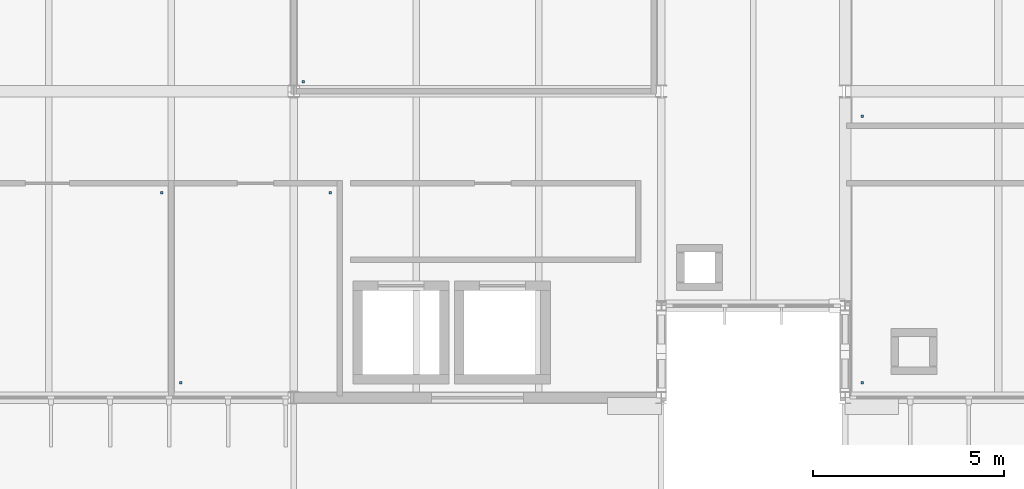
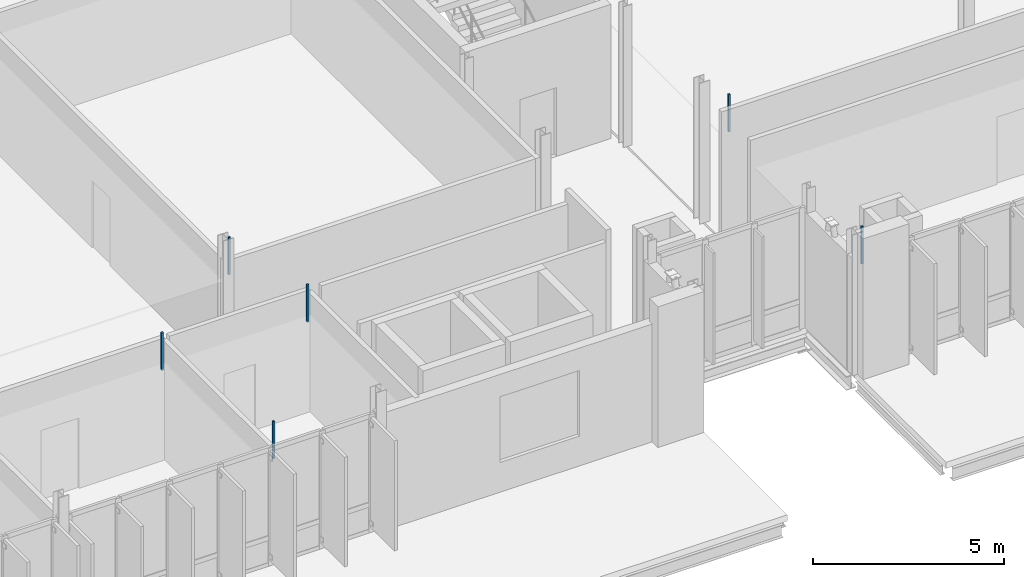
# One storey, part 74 of 107: 6 discrete accessories.
"""IFC4 building model written with IfcOpenShell, lengths in metres."""

from ifc_helpers import new_model, si_unit, direction, frame, origin, place, context, subcontext, project, spatial, polyline, outline, extrude, material, type_object, element, save


model = new_model("IFC4")

# Units and contexts
model_context = context("Model", 3, precision=1e-05, world=origin(), true_north=direction((0.0, 1.0)))
body_context = subcontext(model_context, "Body", "Model", "MODEL_VIEW")
ifc_project = project(units=[si_unit("LENGTHUNIT", "METRE"), si_unit("AREAUNIT", "SQUARE_METRE"), si_unit("VOLUMEUNIT", "CUBIC_METRE"), si_unit("PLANEANGLEUNIT", "RADIAN"), si_unit("MASSUNIT", "GRAM", prefix="KILO")], contexts=[model_context])

# Site, building, storey
site_placement = place(None, origin())
site = spatial("IfcSite", under=ifc_project, at=site_placement, CompositionType="ELEMENT")
building_placement = place(site_placement, origin())
building = spatial("IfcBuilding", under=site, at=building_placement, Name="Dunescarp Central Library", CompositionType="ELEMENT")
storey_placement = place(building_placement, frame((0.0, 0.0, 5.10009765625)))
storey = spatial("IfcBuildingStorey", under=building, at=storey_placement, Name="L01", CompositionType="ELEMENT", Elevation=5.10009765625)

# Discrete accessories
ifc_material = material(Name="Stainless steel Grade 316L", Category="steel")
discrete_accessory_type = type_object("IfcDiscreteAccessoryType", Name="ARC-ACC-BRK", PredefinedType="BRACKET", material=ifc_material)
discrete_accessory_1_placement = place(storey_placement, frame((0.0, 0.0, 3.059814453125)))
element("IfcDiscreteAccessory", 1, at=discrete_accessory_1_placement, inside=storey, type_object=discrete_accessory_type, Name="L01 ceiling hanger CLG-L01-052-H1", PredefinedType="BRACKET", context=body_context, shape_type="SweptSolid", body=[
    extrude(outline(polyline([(64.219970703125, 5.159912109375), (64.280029296875, 5.159912109375), (64.280029296875, 5.219970703125), (64.219970703125, 5.219970703125), (64.219970703125, 5.159912109375)])), origin(), (0.0, 0.0, 1.0), 1.190185546875),
])
discrete_accessory_2_placement = place(storey_placement, frame((0.0, 0.0, 3.059814453125)))
element("IfcDiscreteAccessory", 2, at=discrete_accessory_2_placement, inside=storey, type_object=discrete_accessory_type, Name="L01 ceiling hanger CLG-L01-052-H2", PredefinedType="BRACKET", context=body_context, shape_type="SweptSolid", body=[
    extrude(outline(polyline([(68.1201171875, 10.1201171875), (68.179931640625, 10.1201171875), (68.179931640625, 10.179931640625), (68.1201171875, 10.179931640625), (68.1201171875, 10.1201171875)])), origin(), (0.0, 0.0, 1.0), 1.190185546875),
])
discrete_accessory_3_placement = place(storey_placement, frame((0.0, 0.0, 3.059814453125)))
element("IfcDiscreteAccessory", 3, at=discrete_accessory_3_placement, inside=storey, type_object=discrete_accessory_type, Name="L01 ceiling hanger CLG-L01-055-H2", PredefinedType="BRACKET", context=body_context, shape_type="SweptSolid", body=[
    extrude(outline(polyline([(63.719970703125, 10.1201171875), (63.780029296875, 10.1201171875), (63.780029296875, 10.179931640625), (63.719970703125, 10.179931640625), (63.719970703125, 10.1201171875)])), origin(), (0.0, 0.0, 1.0), 1.190185546875),
])
discrete_accessory_4_placement = place(storey_placement, frame((0.0, 0.0, 3.059814453125)))
element("IfcDiscreteAccessory", 4, at=discrete_accessory_4_placement, inside=storey, type_object=discrete_accessory_type, Name="L01 ceiling hanger CLG-L01-057-H1", PredefinedType="BRACKET", context=body_context, shape_type="SweptSolid", body=[
    extrude(outline(polyline([(67.419921875, 13.02001953125), (67.47998046875, 13.02001953125), (67.47998046875, 13.080078125), (67.419921875, 13.080078125), (67.419921875, 13.02001953125)])), origin(), (0.0, 0.0, 1.0), 1.190185546875),
])
discrete_accessory_5_placement = place(storey_placement, frame((0.0, 0.0, 3.059814453125)))
element("IfcDiscreteAccessory", 5, at=discrete_accessory_5_placement, inside=storey, type_object=discrete_accessory_type, Name="L01 ceiling hanger CLG-L01-095-H1", PredefinedType="BRACKET", context=body_context, shape_type="SweptSolid", body=[
    extrude(outline(polyline([(82.02001953125, 5.159912109375), (82.080078125, 5.159912109375), (82.080078125, 5.219970703125), (82.02001953125, 5.219970703125), (82.02001953125, 5.159912109375)])), origin(), (0.0, 0.0, 1.0), 1.190185546875),
])
discrete_accessory_6_placement = place(storey_placement, frame((0.0, 0.0, 3.059814453125)))
element("IfcDiscreteAccessory", 6, at=discrete_accessory_6_placement, inside=storey, type_object=discrete_accessory_type, Name="L01 ceiling hanger CLG-L01-097-H1", PredefinedType="BRACKET", context=body_context, shape_type="SweptSolid", body=[
    extrude(outline(polyline([(82.02001953125, 12.1201171875), (82.080078125, 12.1201171875), (82.080078125, 12.179931640625), (82.02001953125, 12.179931640625), (82.02001953125, 12.1201171875)])), origin(), (0.0, 0.0, 1.0), 1.190185546875),
])

save(model, "model.ifc")
